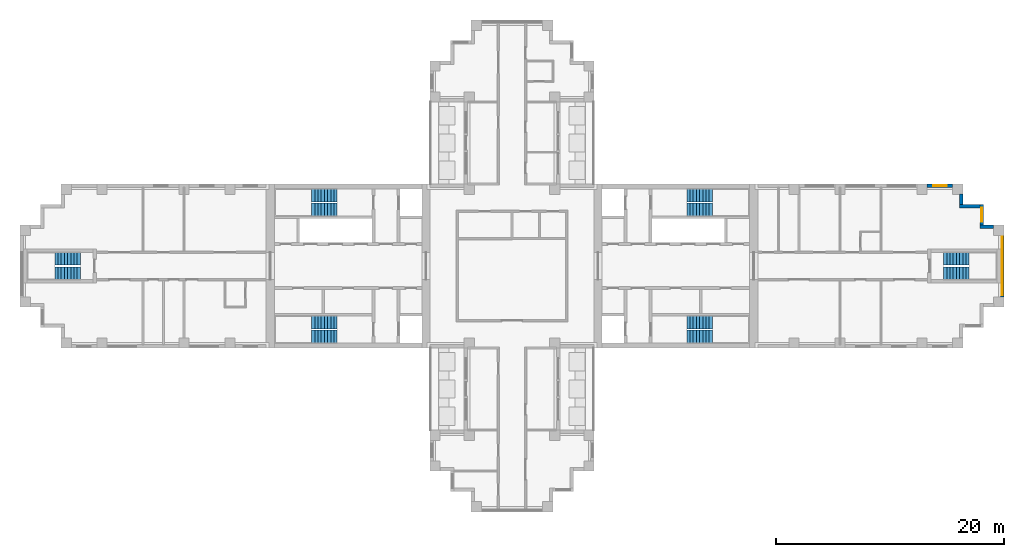
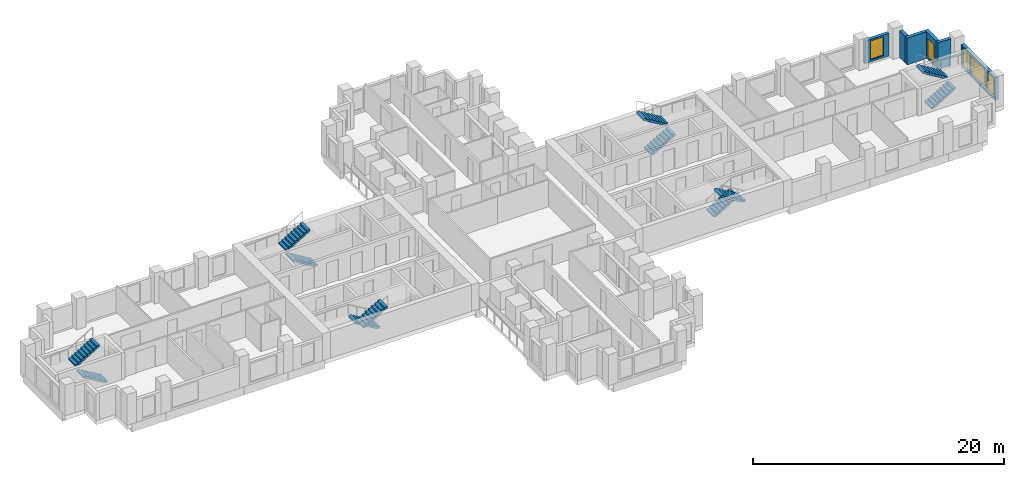
# One storey, part 9 of 11: 12 stair flights, 6 walls, 5 windows, 5 openings, 6 elements without a shape of their own.
"""IFC4 building model written with IfcOpenShell, lengths in metres."""

import ifcopenshell
import ifcopenshell.guid

model = None  # the IFC model being written
_history = None  # IfcOwnerHistory: only IFC2X3 demands one
_inside = {}  # id of a spatial element -> (the spatial element, [elements in it])
_under = {}  # id of a project, library or spatial element -> (it, [spatial elements below it])
_declared = {}  # id of a project -> (the project, [libraries it declares])
_typed = {}  # id of a type object -> (the type object, [elements of that type])
_made_of = {}  # id of a material, layer set ... -> (it, [elements and type objects made of it])


def new_model(schema):
    """Start an empty IFC model of exactly this schema.

    Asked for "IFC4X3", IfcOpenShell would pick the latest addendum, in which some entities
    have other attributes; the version numbers below select the first issue.
    IFC2X3 requires an IfcOwnerHistory on every rooted entity: one is made here for all.
    """
    global model, _history
    if schema == "IFC4X3":
        model = ifcopenshell.file(schema_version=(4, 3, 0, 0))
    else:
        model = ifcopenshell.file(schema=schema)
    _inside.clear()
    _under.clear()
    _declared.clear()
    _typed.clear()
    _made_of.clear()
    _history = None
    if model.schema == "IFC2X3":
        org = make("IfcOrganization", Name="unknown")
        user = make(
            "IfcPersonAndOrganization",
            ThePerson=make("IfcPerson", FamilyName="unknown"),
            TheOrganization=org,
        )
        app = make(
            "IfcApplication",
            ApplicationDeveloper=org,
            Version="unknown",
            ApplicationFullName="unknown",
            ApplicationIdentifier="unknown",
        )
        _history = make(
            "IfcOwnerHistory",
            OwningUser=user,
            OwningApplication=app,
            ChangeAction="ADDED",
            CreationDate=0,
        )
    return model


def make(cls, **values):
    """One entity of the class cls with the attributes given. An attribute that is None is left unset."""
    return model.create_entity(
        cls, **{name: value for name, value in values.items() if value is not None}
    )


def rooted(cls, **values):
    """An entity with a GlobalId (a new one), such as an element, a storey or a relation."""
    return make(cls, GlobalId=ifcopenshell.guid.new(), OwnerHistory=_history, **values)


def si_unit(unit_type, name, prefix=None):
    """IfcSIUnit, for example si_unit("LENGTHUNIT", "METRE", prefix="MILLI")."""
    return make("IfcSIUnit", UnitType=unit_type, Prefix=prefix, Name=name)


def assignment(units):
    """IfcUnitAssignment: the units of a project."""
    return None if units is None else make("IfcUnitAssignment", Units=units)


def point(xyz):
    """IfcCartesianPoint."""
    return None if xyz is None else make("IfcCartesianPoint", Coordinates=xyz)


def direction(xyz):
    """IfcDirection."""
    return None if xyz is None else make("IfcDirection", DirectionRatios=xyz)


def frame(location, z_axis=None, x_axis=None):
    """IfcAxis2Placement3D, a coordinate frame: its origin and axes. An axis left out is left unset."""
    return make(
        "IfcAxis2Placement3D",
        Location=point(location),
        Axis=direction(z_axis),
        RefDirection=direction(x_axis),
    )


def frame_2d(location, x_axis=None):
    """IfcAxis2Placement2D, a coordinate frame in the plane: its origin and x axis."""
    return make(
        "IfcAxis2Placement2D", Location=point(location), RefDirection=direction(x_axis)
    )


def origin():
    """The frame at (0, 0, 0) with its axes left unset."""
    return frame((0.0, 0.0, 0.0))


def place(relative_to, where):
    """IfcLocalPlacement: puts the frame where relative to a parent placement (None: the world)."""
    return make(
        "IfcLocalPlacement", PlacementRelTo=relative_to, RelativePlacement=where
    )


def context(
    kind, dimensions, precision=None, world=None, true_north=None, identifier=None
):
    """IfcGeometricRepresentationContext, for example the 3D "Model" context."""
    return make(
        "IfcGeometricRepresentationContext",
        ContextIdentifier=identifier,
        ContextType=kind,
        CoordinateSpaceDimension=dimensions,
        Precision=precision,
        WorldCoordinateSystem=world,
        TrueNorth=true_north,
    )


def subcontext(parent, identifier, kind, view, scale=None):
    """IfcGeometricRepresentationSubContext, for example "Body" below "Model"."""
    return make(
        "IfcGeometricRepresentationSubContext",
        ContextIdentifier=identifier,
        ContextType=kind,
        ParentContext=parent,
        TargetScale=scale,
        TargetView=view,
    )


def project(units=None, contexts=None):
    """IfcProject with its units and contexts."""
    return rooted(
        "IfcProject",
        Name="project",
        RepresentationContexts=contexts,
        UnitsInContext=assignment(units),
    )


def spatial(cls, under=None, at=None, **own):
    """A site, building, storey or space (cls), placed at a placement, below another one or the project."""
    s = rooted(cls, ObjectPlacement=at, **own)
    if under is not None:
        _under.setdefault(under.id(), (under, []))[1].append(s)
    return s


def polyline(points):
    """IfcPolyline through the points."""
    return make("IfcPolyline", Points=[point(p) for p in points])


def profile(cls, at=None, kind="AREA", **sizes):
    """A parametric profile (cls). Its sizes go by their IFC names, for example OverallWidth=200.0."""
    return make(cls, ProfileType=kind, Position=at, **sizes)


def rectangle(**sizes):
    """IfcRectangleProfileDef."""
    return profile("IfcRectangleProfileDef", **sizes)


def outline(outer, holes=None, kind="AREA"):
    """IfcArbitraryClosedProfileDef: a profile drawn as a closed curve; with holes, ...WithVoids."""
    if holes is None:
        return make("IfcArbitraryClosedProfileDef", ProfileType=kind, OuterCurve=outer)
    return make(
        "IfcArbitraryProfileDefWithVoids",
        ProfileType=kind,
        OuterCurve=outer,
        InnerCurves=holes,
    )


def extrude(swept, where, along, depth):
    """IfcExtrudedAreaSolid: the profile swept, set in the frame where, extruded along a direction by depth."""
    return make(
        "IfcExtrudedAreaSolid",
        SweptArea=swept,
        Position=where,
        ExtrudedDirection=direction(along),
        Depth=depth,
    )


def shape(context_of_items, identifier, shape_type, items):
    """IfcShapeRepresentation: the items that make up one representation, for example the "Body"."""
    return make(
        "IfcShapeRepresentation",
        ContextOfItems=context_of_items,
        RepresentationIdentifier=identifier,
        RepresentationType=shape_type,
        Items=items,
    )


def material(Name=None, Category=None):
    """IfcMaterial."""
    return make("IfcMaterial", Name=Name, Category=Category)


def layer(
    of_material, thickness, ventilated=None, Name=None, Category=None, Priority=None
):
    """IfcMaterialLayer: one layer of a wall or slab, of a material (None: an air gap)."""
    return make(
        "IfcMaterialLayer",
        Material=of_material,
        LayerThickness=thickness,
        IsVentilated=ventilated,
        Name=Name,
        Category=Category,
        Priority=Priority,
    )


def layer_set(layers, Name=None):
    """IfcMaterialLayerSet."""
    return make("IfcMaterialLayerSet", MaterialLayers=layers, LayerSetName=Name)


def made_of(thing, what):
    """Note that an element or type object is made of a material, layer set ...; save() writes the relation."""
    if what is not None:
        _made_of.setdefault(what.id(), (what, []))[1].append(thing)
    return thing


def type_object(cls, material=None, **own):
    """A type object (cls), such as IfcWallType, which elements share."""
    return made_of(rooted(cls, **own), material)


def element(
    cls,
    number,
    at=None,
    inside=None,
    cuts=None,
    type_object=None,
    material=None,
    context=None,
    identifier="Body",
    shape_type=None,
    held_by="IfcProductDefinitionShape",
    body=None,
    shapes=None,
    **own,
):
    """One element of the class cls, such as IfcWall. Its Tag is "e" and its number.

    at: its placement. inside: the storey or other place that contains it. cuts: it is an
    opening in that element (IfcRelVoidsElement). A single representation is given by context,
    identifier, shape_type and body (its items); several are given by shapes. held_by: the class
    of the entity that holds the representations. save() writes the other relations.
    """
    e = rooted(cls, Tag="e%d" % number, ObjectPlacement=at, **own)
    if body is not None:
        shapes = [shape(context, identifier, shape_type, body)]
    if shapes is not None:
        e.Representation = make(held_by, Representations=shapes)
    if inside is not None:
        _inside.setdefault(inside.id(), (inside, []))[1].append(e)
    if cuts is not None:
        rooted(
            "IfcRelVoidsElement", RelatingBuildingElement=cuts, RelatedOpeningElement=e
        )
    if type_object is not None:
        _typed.setdefault(type_object.id(), (type_object, []))[1].append(e)
    return made_of(e, material)


def fill(opening, filler):
    """IfcRelFillsElement: the door or window that sits in an opening."""
    return rooted(
        "IfcRelFillsElement",
        RelatingOpeningElement=opening,
        RelatedBuildingElement=filler,
    )


def aggregate(whole, parts):
    """IfcRelAggregates: a whole, such as a stair, and the parts it consists of."""
    return rooted("IfcRelAggregates", RelatingObject=whole, RelatedObjects=parts)


def save(model, path):
    """Write the relations noted so far, then the file.

    IfcRelAggregates (storeys below a building ...), IfcRelContainedInSpatialStructure (elements
    in a storey), IfcRelDefinesByType, IfcRelAssociatesMaterial and IfcRelDeclares: one each for
    every whole, place, type object, material and project.
    """
    for whole, parts in _under.values():
        aggregate(whole, parts)
    for where, things in _inside.values():
        rooted(
            "IfcRelContainedInSpatialStructure",
            RelatedElements=things,
            RelatingStructure=where,
        )
    for kind, things in _typed.values():
        rooted("IfcRelDefinesByType", RelatedObjects=things, RelatingType=kind)
    for what, things in _made_of.values():
        rooted("IfcRelAssociatesMaterial", RelatedObjects=things, RelatingMaterial=what)
    for by, libraries in _declared.values():
        rooted("IfcRelDeclares", RelatingContext=by, RelatedDefinitions=libraries)
    model.write(path)


model = new_model("IFC4")

# Units and contexts
model_context = context("Model", 3, precision=1e-05, world=origin(), true_north=direction((0.0, 1.0)))
body_context = subcontext(model_context, "Body", "Model", "MODEL_VIEW")
ifc_project = project(units=[si_unit("LENGTHUNIT", "METRE"), si_unit("AREAUNIT", "SQUARE_METRE"), si_unit("VOLUMEUNIT", "CUBIC_METRE"), si_unit("PLANEANGLEUNIT", "RADIAN"), si_unit("MASSUNIT", "GRAM", prefix="KILO")], contexts=[model_context])

# Site, building, storey
site_placement = place(None, origin())
site = spatial("IfcSite", under=ifc_project, at=site_placement, CompositionType="ELEMENT")
building_placement = place(site_placement, origin())
building = spatial("IfcBuilding", under=site, at=building_placement, Name="Fustian Cross Tower", CompositionType="ELEMENT")
storey_placement = place(building_placement, frame((0.0, 0.0, 138.300048828125)))
storey = spatial("IfcBuildingStorey", under=building, at=storey_placement, Name="L43", CompositionType="ELEMENT", Elevation=138.300048828125)

# Wall, openings, windows
ifc_material_1 = material(Name="Dark aluminium cladding on insulated backing wall", Category="aluminium")
ifc_layer = layer(ifc_material_1, 0.300048828125)
ifc_layer_set = layer_set([ifc_layer], Name="Dark aluminium cladding on insulated backing wall")
wall_type = type_object("IfcWallType", Name="XW1 EXTERNAL WALL 300", PredefinedType="SOLIDWALL", material=ifc_layer_set)
wall_1_placement = place(storey_placement, frame((43.050048828125, -2.699951171875, 0.0), z_axis=(0.0, 0.0, 1.0), x_axis=(0.0, 1.0, 0.0)))
wall_1 = element("IfcWall", 1, at=wall_1_placement, inside=storey, type_object=wall_type, Name="External wall", PredefinedType="SOLIDWALL", context=body_context, shape_type="SweptSolid", body=[
    extrude(rectangle(XDim=5.39990234375, YDim=0.300048828125, at=frame_2d((2.699951171875, 0.0))), origin(), (0.0, 0.0, 1.0), 2.199951171875),
])
opening_1_placement = place(wall_1_placement, frame((1.5, 0.0, 0.199951171875)))
opening_1 = element("IfcOpeningElement", 2, at=opening_1_placement, cuts=wall_1, Name="Opening WN1", PredefinedType="OPENING", context=body_context, shape_type="SweptSolid", body=[
    extrude(rectangle(XDim=2.39990234375, YDim=1.85009765625, at=frame_2d((1.199951171875, 0.925048828125))), frame((0.0, 0.159912109375, 0.0), z_axis=(0.0, -1.0, 0.0), x_axis=(1.0, 0.0, 0.0)), (0.0, 0.0, 1.0), 0.320068359375),
])
opening_2_placement = place(wall_1_placement, frame((0.14990234375, 0.0, 0.199951171875)))
opening_2 = element("IfcOpeningElement", 3, at=opening_2_placement, cuts=wall_1, Name="Opening WN3", PredefinedType="OPENING", context=body_context, shape_type="SweptSolid", body=[
    extrude(rectangle(XDim=1.199951171875, YDim=1.85009765625, at=frame_2d((0.60009765625, 0.925048828125))), frame((0.0, 0.159912109375, 0.0), z_axis=(0.0, -1.0, 0.0), x_axis=(1.0, 0.0, 0.0)), (0.0, 0.0, 1.0), 0.320068359375),
])
opening_3_placement = place(wall_1_placement, frame((4.050048828125, 0.0, 0.199951171875)))
opening_3 = element("IfcOpeningElement", 4, at=opening_3_placement, cuts=wall_1, Name="Opening WN3", PredefinedType="OPENING", context=body_context, shape_type="SweptSolid", body=[
    extrude(rectangle(XDim=1.199951171875, YDim=1.85009765625, at=frame_2d((0.60009765625, 0.925048828125))), frame((0.0, 0.159912109375, 0.0), z_axis=(0.0, -1.0, 0.0), x_axis=(1.0, 0.0, 0.0)), (0.0, 0.0, 1.0), 0.320068359375),
])
ifc_material_2 = material(Name="Dark anodised aluminium and double glazing", Category="aluminium")
window_type_1 = type_object("IfcWindowType", Name="WN1 WINDOW 2400X1850", PartitioningType="SINGLE_PANEL", PredefinedType="WINDOW", material=ifc_material_2)
window_1_placement = place(opening_1_placement, origin())
window_1 = element("IfcWindow", 5, at=window_1_placement, inside=storey, type_object=window_type_1, Name="Window", OverallHeight=1.85009765625, OverallWidth=2.39990234375, PartitioningType="SINGLE_PANEL", PredefinedType="WINDOW", context=body_context, shape_type="SweptSolid", body=[
    extrude(rectangle(XDim=2.39990234375, YDim=1.85009765625, at=frame_2d((1.199951171875, 0.925048828125))), frame((0.0, 0.030029296875, 0.0), z_axis=(0.0, -1.0, 0.0), x_axis=(1.0, 0.0, 0.0)), (0.0, 0.0, 1.0), 0.06005859375),
])
fill(opening_1, window_1)
ifc_material_3 = material(Name="Dark anodised aluminium and double glazing", Category="aluminium")
window_type_2 = type_object("IfcWindowType", Name="WN3 WINDOW 1200X1850", PartitioningType="SINGLE_PANEL", PredefinedType="WINDOW", material=ifc_material_3)
window_2_placement = place(opening_2_placement, origin())
window_2 = element("IfcWindow", 6, at=window_2_placement, inside=storey, type_object=window_type_2, Name="Window", OverallHeight=1.85009765625, OverallWidth=1.199951171875, PartitioningType="SINGLE_PANEL", PredefinedType="WINDOW", context=body_context, shape_type="SweptSolid", body=[
    extrude(rectangle(XDim=1.199951171875, YDim=1.85009765625, at=frame_2d((0.60009765625, 0.925048828125))), frame((0.0, 0.030029296875, 0.0), z_axis=(0.0, -1.0, 0.0), x_axis=(1.0, 0.0, 0.0)), (0.0, 0.0, 1.0), 0.06005859375),
])
fill(opening_2, window_2)
window_3_placement = place(opening_3_placement, origin())
window_3 = element("IfcWindow", 7, at=window_3_placement, inside=storey, type_object=window_type_2, Name="Window", OverallHeight=1.85009765625, OverallWidth=1.199951171875, PartitioningType="SINGLE_PANEL", PredefinedType="WINDOW", context=body_context, shape_type="SweptSolid", body=[
    extrude(rectangle(XDim=1.199951171875, YDim=1.85009765625, at=frame_2d((0.60009765625, 0.925048828125))), frame((0.0, 0.030029296875, 0.0), z_axis=(0.0, -1.0, 0.0), x_axis=(1.0, 0.0, 0.0)), (0.0, 0.0, 1.0), 0.06005859375),
])
fill(opening_3, window_3)

# Wall
wall_2_placement = place(storey_placement, frame((42.300048828125, 3.449951171875, 0.0), z_axis=(0.0, 0.0, 1.0), x_axis=(-1.0, 0.0, 0.0)))
element("IfcWall", 8, at=wall_2_placement, inside=storey, type_object=wall_type, Name="External wall", PredefinedType="SOLIDWALL", context=body_context, shape_type="SweptSolid", body=[
    extrude(rectangle(XDim=1.199951171875, YDim=0.300048828125, at=frame_2d((0.60009765625, 0.0))), origin(), (0.0, 0.0, 1.0), 2.599853515625),
])

# Wall, opening, window
wall_3_placement = place(storey_placement, frame((41.25, 3.60009765625, 0.0), z_axis=(0.0, 0.0, 1.0), x_axis=(0.0, 1.0, 0.0)))
wall_3 = element("IfcWall", 9, at=wall_3_placement, inside=storey, type_object=wall_type, Name="External wall", PredefinedType="SOLIDWALL", context=body_context, shape_type="SweptSolid", body=[
    extrude(rectangle(XDim=1.7998046875, YDim=0.300048828125, at=frame_2d((0.89990234375, 0.0))), origin(), (0.0, 0.0, 1.0), 2.599853515625),
])
opening_4_placement = place(wall_3_placement, frame((0.300048828125, 0.0, 0.199951171875)))
opening_4 = element("IfcOpeningElement", 10, at=opening_4_placement, cuts=wall_3, Name="Opening WN3", PredefinedType="OPENING", context=body_context, shape_type="SweptSolid", body=[
    extrude(rectangle(XDim=1.199951171875, YDim=1.85009765625, at=frame_2d((0.60009765625, 0.925048828125))), frame((0.0, 0.159912109375, 0.0), z_axis=(0.0, -1.0, 0.0), x_axis=(1.0, 0.0, 0.0)), (0.0, 0.0, 1.0), 0.320068359375),
])
window_4_placement = place(opening_4_placement, origin())
window_4 = element("IfcWindow", 11, at=window_4_placement, inside=storey, type_object=window_type_2, Name="Window", OverallHeight=1.85009765625, OverallWidth=1.199951171875, PartitioningType="SINGLE_PANEL", PredefinedType="WINDOW", context=body_context, shape_type="SweptSolid", body=[
    extrude(rectangle(XDim=1.199951171875, YDim=1.85009765625, at=frame_2d((0.60009765625, 0.925048828125))), frame((0.0, 0.030029296875, 0.0), z_axis=(0.0, -1.0, 0.0), x_axis=(1.0, 0.0, 0.0)), (0.0, 0.0, 1.0), 0.06005859375),
])
fill(opening_4, window_4)

# Walls
wall_4_placement = place(storey_placement, frame((41.10009765625, 5.25, 0.0), z_axis=(0.0, 0.0, 1.0), x_axis=(-1.0, 0.0, 0.0)))
element("IfcWall", 12, at=wall_4_placement, inside=storey, type_object=wall_type, Name="External wall", PredefinedType="SOLIDWALL", context=body_context, shape_type="SweptSolid", body=[
    extrude(rectangle(XDim=1.800048828125, YDim=0.300048828125, at=frame_2d((0.89990234375, 0.0))), origin(), (0.0, 0.0, 1.0), 2.599853515625),
])
wall_5_placement = place(storey_placement, frame((39.449951171875, 5.39990234375, 0.0), z_axis=(0.0, 0.0, 1.0), x_axis=(0.0, 1.0, 0.0)))
element("IfcWall", 13, at=wall_5_placement, inside=storey, type_object=wall_type, Name="External wall", PredefinedType="SOLIDWALL", context=body_context, shape_type="SweptSolid", body=[
    extrude(rectangle(XDim=0.900146484375, YDim=0.300048828125, at=frame_2d((0.4501953125, 0.0))), origin(), (0.0, 0.0, 1.0), 2.599853515625),
])

# Wall, opening, window
wall_6_placement = place(storey_placement, frame((38.699951171875, 7.050048828125, 0.0), z_axis=(0.0, 0.0, 1.0), x_axis=(-1.0, 0.0, 0.0)))
wall_6 = element("IfcWall", 14, at=wall_6_placement, inside=storey, type_object=wall_type, Name="External wall", PredefinedType="SOLIDWALL", context=body_context, shape_type="SweptSolid", body=[
    extrude(rectangle(XDim=2.25, YDim=0.300048828125, at=frame_2d((1.125, 0.0))), origin(), (0.0, 0.0, 1.0), 2.199951171875),
])
opening_5_placement = place(wall_6_placement, frame((0.52490234375, 0.0, 0.199951171875)))
opening_5 = element("IfcOpeningElement", 15, at=opening_5_placement, cuts=wall_6, Name="Opening WN3", PredefinedType="OPENING", context=body_context, shape_type="SweptSolid", body=[
    extrude(rectangle(XDim=1.199951171875, YDim=1.85009765625, at=frame_2d((0.60009765625, 0.925048828125))), frame((0.0, 0.159912109375, 0.0), z_axis=(0.0, -1.0, 0.0), x_axis=(1.0, 0.0, 0.0)), (0.0, 0.0, 1.0), 0.320068359375),
])
window_5_placement = place(opening_5_placement, origin())
window_5 = element("IfcWindow", 16, at=window_5_placement, inside=storey, type_object=window_type_2, Name="Window", OverallHeight=1.85009765625, OverallWidth=1.199951171875, PartitioningType="SINGLE_PANEL", PredefinedType="WINDOW", context=body_context, shape_type="SweptSolid", body=[
    extrude(rectangle(XDim=1.199951171875, YDim=1.85009765625, at=frame_2d((0.60009765625, 0.925048828125))), frame((0.0, 0.030029296875, 0.0), z_axis=(0.0, -1.0, 0.0), x_axis=(1.0, 0.0, 0.0)), (0.0, 0.0, 1.0), 0.06005859375),
])
fill(opening_5, window_5)

# Stair, stair flights
ifc_material_4 = material(Name="Concrete C50/60", Category="concrete")
stair_type_1 = type_object("IfcStairType", Name="STAIR 1100 HALF TURN", PredefinedType="HALF_TURN_STAIR", material=ifc_material_4)
stair_1_placement = place(storey_placement, origin())
stair_1 = element("IfcStair", 17, at=stair_1_placement, inside=storey, type_object=stair_type_1, Name="Stair ST8", PredefinedType="HALF_TURN_STAIR")
ifc_material_5 = material(Name="Concrete C50/60", Category="concrete")
stair_flight_type_1 = type_object("IfcStairFlightType", Name="STAIR FLIGHT 1100", PredefinedType="STRAIGHT", material=ifc_material_5)
stair_flight_1_placement = place(storey_placement, frame((37.89990234375, -0.64990234375, 0.0), z_axis=(0.0, 0.0, 1.0), x_axis=(1.0, 0.0, 0.0)))
stair_flight_1 = element("IfcStairFlight", 18, at=stair_flight_1_placement, type_object=stair_flight_type_1, Name="ST8 flight 1", NumberOfRisers=9, NumberOfTreads=8, PredefinedType="STRAIGHT", RiserHeight=0.166666667, TreadLength=0.28, context=body_context, shape_type="SweptSolid", body=[
    extrude(outline(polyline([(0.0, 0.0), (0.0, 0.166748046875), (0.280029296875, 0.166748046875), (0.280029296875, 0.333251953125), (0.56005859375, 0.333251953125), (0.56005859375, 0.5), (0.840087890625, 0.5), (0.840087890625, 0.666748046875), (1.1201171875, 0.666748046875), (1.1201171875, 0.833251953125), (1.39990234375, 0.833251953125), (1.39990234375, 1.0), (1.679931640625, 1.0), (1.679931640625, 1.166748046875), (1.9599609375, 1.166748046875), (1.9599609375, 1.333251953125), (2.239990234375, 1.333251953125), (2.239990234375, 1.5), (2.239990234375, 1.158935546875), (0.29296875, 0.0), (0.0, 0.0)])), frame((0.0, 0.550048828125, 0.0), z_axis=(0.0, -1.0, 0.0), x_axis=(1.0, 0.0, 0.0)), (0.0, 0.0, 1.0), 1.10009765625),
])
stair_flight_2_placement = place(storey_placement, frame((40.139892578125, 0.64990234375, 1.5), z_axis=(0.0, 0.0, 1.0), x_axis=(-1.0, 0.0, 0.0)))
stair_flight_2 = element("IfcStairFlight", 19, at=stair_flight_2_placement, type_object=stair_flight_type_1, Name="ST8 flight 2", NumberOfRisers=9, NumberOfTreads=8, PredefinedType="STRAIGHT", RiserHeight=0.166666667, TreadLength=0.28, context=body_context, shape_type="SweptSolid", body=[
    extrude(outline(polyline([(0.0, 0.0), (0.0, 0.166748046875), (0.280029296875, 0.166748046875), (0.280029296875, 0.333251953125), (0.56005859375, 0.333251953125), (0.56005859375, 0.5), (0.840087890625, 0.5), (0.840087890625, 0.666748046875), (1.1201171875, 0.666748046875), (1.1201171875, 0.833251953125), (1.39990234375, 0.833251953125), (1.39990234375, 1.0), (1.679931640625, 1.0), (1.679931640625, 1.166748046875), (1.9599609375, 1.166748046875), (1.9599609375, 1.333251953125), (2.239990234375, 1.333251953125), (2.239990234375, 1.5), (2.239990234375, 1.158935546875), (0.29296875, 0.0), (0.0, 0.0)])), frame((0.0, 0.550048828125, 0.0), z_axis=(0.0, -1.0, 0.0), x_axis=(1.0, 0.0, 0.0)), (0.0, 0.0, 1.0), 1.10009765625),
])
aggregate(stair_1, [stair_flight_1, stair_flight_2])

stair_2_placement = place(storey_placement, origin())
stair_2 = element("IfcStair", 20, at=stair_2_placement, inside=storey, type_object=stair_type_1, Name="Stair ST9", PredefinedType="HALF_TURN_STAIR")
stair_flight_3_placement = place(storey_placement, frame((-37.89990234375, -0.64990234375, 0.0), z_axis=(0.0, 0.0, 1.0), x_axis=(-1.0, 0.0, 0.0)))
stair_flight_3 = element("IfcStairFlight", 21, at=stair_flight_3_placement, type_object=stair_flight_type_1, Name="ST9 flight 1", NumberOfRisers=9, NumberOfTreads=8, PredefinedType="STRAIGHT", RiserHeight=0.166666667, TreadLength=0.28, context=body_context, shape_type="SweptSolid", body=[
    extrude(outline(polyline([(0.0, 0.0), (0.0, 0.166748046875), (0.280029296875, 0.166748046875), (0.280029296875, 0.333251953125), (0.56005859375, 0.333251953125), (0.56005859375, 0.5), (0.840087890625, 0.5), (0.840087890625, 0.666748046875), (1.1201171875, 0.666748046875), (1.1201171875, 0.833251953125), (1.39990234375, 0.833251953125), (1.39990234375, 1.0), (1.679931640625, 1.0), (1.679931640625, 1.166748046875), (1.9599609375, 1.166748046875), (1.9599609375, 1.333251953125), (2.239990234375, 1.333251953125), (2.239990234375, 1.5), (2.239990234375, 1.158935546875), (0.29296875, 0.0), (0.0, 0.0)])), frame((0.0, 0.550048828125, 0.0), z_axis=(0.0, -1.0, 0.0), x_axis=(1.0, 0.0, 0.0)), (0.0, 0.0, 1.0), 1.10009765625),
])
stair_flight_4_placement = place(storey_placement, frame((-40.139892578125, 0.64990234375, 1.5), z_axis=(0.0, 0.0, 1.0), x_axis=(1.0, 0.0, 0.0)))
stair_flight_4 = element("IfcStairFlight", 22, at=stair_flight_4_placement, type_object=stair_flight_type_1, Name="ST9 flight 2", NumberOfRisers=9, NumberOfTreads=8, PredefinedType="STRAIGHT", RiserHeight=0.166666667, TreadLength=0.28, context=body_context, shape_type="SweptSolid", body=[
    extrude(outline(polyline([(0.0, 0.0), (0.0, 0.166748046875), (0.280029296875, 0.166748046875), (0.280029296875, 0.333251953125), (0.56005859375, 0.333251953125), (0.56005859375, 0.5), (0.840087890625, 0.5), (0.840087890625, 0.666748046875), (1.1201171875, 0.666748046875), (1.1201171875, 0.833251953125), (1.39990234375, 0.833251953125), (1.39990234375, 1.0), (1.679931640625, 1.0), (1.679931640625, 1.166748046875), (1.9599609375, 1.166748046875), (1.9599609375, 1.333251953125), (2.239990234375, 1.333251953125), (2.239990234375, 1.5), (2.239990234375, 1.158935546875), (0.29296875, 0.0), (0.0, 0.0)])), frame((0.0, 0.550048828125, 0.0), z_axis=(0.0, -1.0, 0.0), x_axis=(1.0, 0.0, 0.0)), (0.0, 0.0, 1.0), 1.10009765625),
])
aggregate(stair_2, [stair_flight_3, stair_flight_4])

ifc_material_6 = material(Name="Concrete C50/60", Category="concrete")
stair_type_2 = type_object("IfcStairType", Name="STAIR 1150 HALF TURN", PredefinedType="HALF_TURN_STAIR", material=ifc_material_6)
stair_3_placement = place(storey_placement, origin())
stair_3 = element("IfcStair", 23, at=stair_3_placement, inside=storey, type_object=stair_type_2, Name="Stair ST1", PredefinedType="HALF_TURN_STAIR")
ifc_material_7 = material(Name="Concrete C50/60", Category="concrete")
stair_flight_type_2 = type_object("IfcStairFlightType", Name="STAIR FLIGHT 1150", PredefinedType="STRAIGHT", material=ifc_material_7)
stair_flight_5_placement = place(storey_placement, frame((15.35009765625, 4.97509765625, 0.0), z_axis=(0.0, 0.0, 1.0), x_axis=(1.0, 0.0, 0.0)))
stair_flight_5 = element("IfcStairFlight", 24, at=stair_flight_5_placement, type_object=stair_flight_type_2, Name="ST1 flight 1", NumberOfRisers=9, NumberOfTreads=8, PredefinedType="STRAIGHT", RiserHeight=0.166666667, TreadLength=0.28, context=body_context, shape_type="SweptSolid", body=[
    extrude(outline(polyline([(0.0, 0.0), (0.0, 0.166748046875), (0.280029296875, 0.166748046875), (0.280029296875, 0.333251953125), (0.56005859375, 0.333251953125), (0.56005859375, 0.5), (0.840087890625, 0.5), (0.840087890625, 0.666748046875), (1.1201171875, 0.666748046875), (1.1201171875, 0.833251953125), (1.39990234375, 0.833251953125), (1.39990234375, 1.0), (1.679931640625, 1.0), (1.679931640625, 1.166748046875), (1.9599609375, 1.166748046875), (1.9599609375, 1.333251953125), (2.239990234375, 1.333251953125), (2.239990234375, 1.5), (2.239990234375, 1.158935546875), (0.29296875, 0.0), (0.0, 0.0)])), frame((0.0, 0.574951171875, 0.0), z_axis=(0.0, -1.0, 0.0), x_axis=(1.0, 0.0, 0.0)), (0.0, 0.0, 1.0), 1.14990234375),
])
stair_flight_6_placement = place(storey_placement, frame((17.590087890625, 6.175048828125, 1.5), z_axis=(0.0, 0.0, 1.0), x_axis=(-1.0, 0.0, 0.0)))
stair_flight_6 = element("IfcStairFlight", 25, at=stair_flight_6_placement, type_object=stair_flight_type_2, Name="ST1 flight 2", NumberOfRisers=9, NumberOfTreads=8, PredefinedType="STRAIGHT", RiserHeight=0.166666667, TreadLength=0.28, context=body_context, shape_type="SweptSolid", body=[
    extrude(outline(polyline([(0.0, 0.0), (0.0, 0.166748046875), (0.280029296875, 0.166748046875), (0.280029296875, 0.333251953125), (0.56005859375, 0.333251953125), (0.56005859375, 0.5), (0.840087890625, 0.5), (0.840087890625, 0.666748046875), (1.1201171875, 0.666748046875), (1.1201171875, 0.833251953125), (1.39990234375, 0.833251953125), (1.39990234375, 1.0), (1.679931640625, 1.0), (1.679931640625, 1.166748046875), (1.9599609375, 1.166748046875), (1.9599609375, 1.333251953125), (2.239990234375, 1.333251953125), (2.239990234375, 1.5), (2.239990234375, 1.158935546875), (0.29296875, 0.0), (0.0, 0.0)])), frame((0.0, 0.574951171875, 0.0), z_axis=(0.0, -1.0, 0.0), x_axis=(1.0, 0.0, 0.0)), (0.0, 0.0, 1.0), 1.14990234375),
])
aggregate(stair_3, [stair_flight_5, stair_flight_6])

stair_4_placement = place(storey_placement, origin())
stair_4 = element("IfcStair", 26, at=stair_4_placement, inside=storey, type_object=stair_type_2, Name="Stair ST2", PredefinedType="HALF_TURN_STAIR")
stair_flight_7_placement = place(storey_placement, frame((15.35009765625, -4.97509765625, 0.0), z_axis=(0.0, 0.0, 1.0), x_axis=(1.0, 0.0, 0.0)))
stair_flight_7 = element("IfcStairFlight", 27, at=stair_flight_7_placement, type_object=stair_flight_type_2, Name="ST2 flight 1", NumberOfRisers=9, NumberOfTreads=8, PredefinedType="STRAIGHT", RiserHeight=0.166666667, TreadLength=0.28, context=body_context, shape_type="SweptSolid", body=[
    extrude(outline(polyline([(0.0, 0.0), (0.0, 0.166748046875), (0.280029296875, 0.166748046875), (0.280029296875, 0.333251953125), (0.56005859375, 0.333251953125), (0.56005859375, 0.5), (0.840087890625, 0.5), (0.840087890625, 0.666748046875), (1.1201171875, 0.666748046875), (1.1201171875, 0.833251953125), (1.39990234375, 0.833251953125), (1.39990234375, 1.0), (1.679931640625, 1.0), (1.679931640625, 1.166748046875), (1.9599609375, 1.166748046875), (1.9599609375, 1.333251953125), (2.239990234375, 1.333251953125), (2.239990234375, 1.5), (2.239990234375, 1.158935546875), (0.29296875, 0.0), (0.0, 0.0)])), frame((0.0, 0.574951171875, 0.0), z_axis=(0.0, -1.0, 0.0), x_axis=(1.0, 0.0, 0.0)), (0.0, 0.0, 1.0), 1.14990234375),
])
stair_flight_8_placement = place(storey_placement, frame((17.590087890625, -6.175048828125, 1.5), z_axis=(0.0, 0.0, 1.0), x_axis=(-1.0, 0.0, 0.0)))
stair_flight_8 = element("IfcStairFlight", 28, at=stair_flight_8_placement, type_object=stair_flight_type_2, Name="ST2 flight 2", NumberOfRisers=9, NumberOfTreads=8, PredefinedType="STRAIGHT", RiserHeight=0.166666667, TreadLength=0.28, context=body_context, shape_type="SweptSolid", body=[
    extrude(outline(polyline([(0.0, 0.0), (0.0, 0.166748046875), (0.280029296875, 0.166748046875), (0.280029296875, 0.333251953125), (0.56005859375, 0.333251953125), (0.56005859375, 0.5), (0.840087890625, 0.5), (0.840087890625, 0.666748046875), (1.1201171875, 0.666748046875), (1.1201171875, 0.833251953125), (1.39990234375, 0.833251953125), (1.39990234375, 1.0), (1.679931640625, 1.0), (1.679931640625, 1.166748046875), (1.9599609375, 1.166748046875), (1.9599609375, 1.333251953125), (2.239990234375, 1.333251953125), (2.239990234375, 1.5), (2.239990234375, 1.158935546875), (0.29296875, 0.0), (0.0, 0.0)])), frame((0.0, 0.574951171875, 0.0), z_axis=(0.0, -1.0, 0.0), x_axis=(1.0, 0.0, 0.0)), (0.0, 0.0, 1.0), 1.14990234375),
])
aggregate(stair_4, [stair_flight_7, stair_flight_8])

stair_5_placement = place(storey_placement, origin())
stair_5 = element("IfcStair", 29, at=stair_5_placement, inside=storey, type_object=stair_type_2, Name="Stair ST3", PredefinedType="HALF_TURN_STAIR")
stair_flight_9_placement = place(storey_placement, frame((-15.35009765625, 4.97509765625, 0.0), z_axis=(0.0, 0.0, 1.0), x_axis=(-1.0, 0.0, 0.0)))
stair_flight_9 = element("IfcStairFlight", 30, at=stair_flight_9_placement, type_object=stair_flight_type_2, Name="ST3 flight 1", NumberOfRisers=9, NumberOfTreads=8, PredefinedType="STRAIGHT", RiserHeight=0.166666667, TreadLength=0.28, context=body_context, shape_type="SweptSolid", body=[
    extrude(outline(polyline([(0.0, 0.0), (0.0, 0.166748046875), (0.280029296875, 0.166748046875), (0.280029296875, 0.333251953125), (0.56005859375, 0.333251953125), (0.56005859375, 0.5), (0.840087890625, 0.5), (0.840087890625, 0.666748046875), (1.1201171875, 0.666748046875), (1.1201171875, 0.833251953125), (1.39990234375, 0.833251953125), (1.39990234375, 1.0), (1.679931640625, 1.0), (1.679931640625, 1.166748046875), (1.9599609375, 1.166748046875), (1.9599609375, 1.333251953125), (2.239990234375, 1.333251953125), (2.239990234375, 1.5), (2.239990234375, 1.158935546875), (0.29296875, 0.0), (0.0, 0.0)])), frame((0.0, 0.574951171875, 0.0), z_axis=(0.0, -1.0, 0.0), x_axis=(1.0, 0.0, 0.0)), (0.0, 0.0, 1.0), 1.14990234375),
])
stair_flight_10_placement = place(storey_placement, frame((-17.590087890625, 6.175048828125, 1.5), z_axis=(0.0, 0.0, 1.0), x_axis=(1.0, 0.0, 0.0)))
stair_flight_10 = element("IfcStairFlight", 31, at=stair_flight_10_placement, type_object=stair_flight_type_2, Name="ST3 flight 2", NumberOfRisers=9, NumberOfTreads=8, PredefinedType="STRAIGHT", RiserHeight=0.166666667, TreadLength=0.28, context=body_context, shape_type="SweptSolid", body=[
    extrude(outline(polyline([(0.0, 0.0), (0.0, 0.166748046875), (0.280029296875, 0.166748046875), (0.280029296875, 0.333251953125), (0.56005859375, 0.333251953125), (0.56005859375, 0.5), (0.840087890625, 0.5), (0.840087890625, 0.666748046875), (1.1201171875, 0.666748046875), (1.1201171875, 0.833251953125), (1.39990234375, 0.833251953125), (1.39990234375, 1.0), (1.679931640625, 1.0), (1.679931640625, 1.166748046875), (1.9599609375, 1.166748046875), (1.9599609375, 1.333251953125), (2.239990234375, 1.333251953125), (2.239990234375, 1.5), (2.239990234375, 1.158935546875), (0.29296875, 0.0), (0.0, 0.0)])), frame((0.0, 0.574951171875, 0.0), z_axis=(0.0, -1.0, 0.0), x_axis=(1.0, 0.0, 0.0)), (0.0, 0.0, 1.0), 1.14990234375),
])
aggregate(stair_5, [stair_flight_9, stair_flight_10])

stair_6_placement = place(storey_placement, origin())
stair_6 = element("IfcStair", 32, at=stair_6_placement, inside=storey, type_object=stair_type_2, Name="Stair ST4", PredefinedType="HALF_TURN_STAIR")
stair_flight_11_placement = place(storey_placement, frame((-15.35009765625, -4.97509765625, 0.0), z_axis=(0.0, 0.0, 1.0), x_axis=(-1.0, 0.0, 0.0)))
stair_flight_11 = element("IfcStairFlight", 33, at=stair_flight_11_placement, type_object=stair_flight_type_2, Name="ST4 flight 1", NumberOfRisers=9, NumberOfTreads=8, PredefinedType="STRAIGHT", RiserHeight=0.166666667, TreadLength=0.28, context=body_context, shape_type="SweptSolid", body=[
    extrude(outline(polyline([(0.0, 0.0), (0.0, 0.166748046875), (0.280029296875, 0.166748046875), (0.280029296875, 0.333251953125), (0.56005859375, 0.333251953125), (0.56005859375, 0.5), (0.840087890625, 0.5), (0.840087890625, 0.666748046875), (1.1201171875, 0.666748046875), (1.1201171875, 0.833251953125), (1.39990234375, 0.833251953125), (1.39990234375, 1.0), (1.679931640625, 1.0), (1.679931640625, 1.166748046875), (1.9599609375, 1.166748046875), (1.9599609375, 1.333251953125), (2.239990234375, 1.333251953125), (2.239990234375, 1.5), (2.239990234375, 1.158935546875), (0.29296875, 0.0), (0.0, 0.0)])), frame((0.0, 0.574951171875, 0.0), z_axis=(0.0, -1.0, 0.0), x_axis=(1.0, 0.0, 0.0)), (0.0, 0.0, 1.0), 1.14990234375),
])
stair_flight_12_placement = place(storey_placement, frame((-17.590087890625, -6.175048828125, 1.5), z_axis=(0.0, 0.0, 1.0), x_axis=(1.0, 0.0, 0.0)))
stair_flight_12 = element("IfcStairFlight", 34, at=stair_flight_12_placement, type_object=stair_flight_type_2, Name="ST4 flight 2", NumberOfRisers=9, NumberOfTreads=8, PredefinedType="STRAIGHT", RiserHeight=0.166666667, TreadLength=0.28, context=body_context, shape_type="SweptSolid", body=[
    extrude(outline(polyline([(0.0, 0.0), (0.0, 0.166748046875), (0.280029296875, 0.166748046875), (0.280029296875, 0.333251953125), (0.56005859375, 0.333251953125), (0.56005859375, 0.5), (0.840087890625, 0.5), (0.840087890625, 0.666748046875), (1.1201171875, 0.666748046875), (1.1201171875, 0.833251953125), (1.39990234375, 0.833251953125), (1.39990234375, 1.0), (1.679931640625, 1.0), (1.679931640625, 1.166748046875), (1.9599609375, 1.166748046875), (1.9599609375, 1.333251953125), (2.239990234375, 1.333251953125), (2.239990234375, 1.5), (2.239990234375, 1.158935546875), (0.29296875, 0.0), (0.0, 0.0)])), frame((0.0, 0.574951171875, 0.0), z_axis=(0.0, -1.0, 0.0), x_axis=(1.0, 0.0, 0.0)), (0.0, 0.0, 1.0), 1.14990234375),
])
aggregate(stair_6, [stair_flight_11, stair_flight_12])

save(model, "model.ifc")
